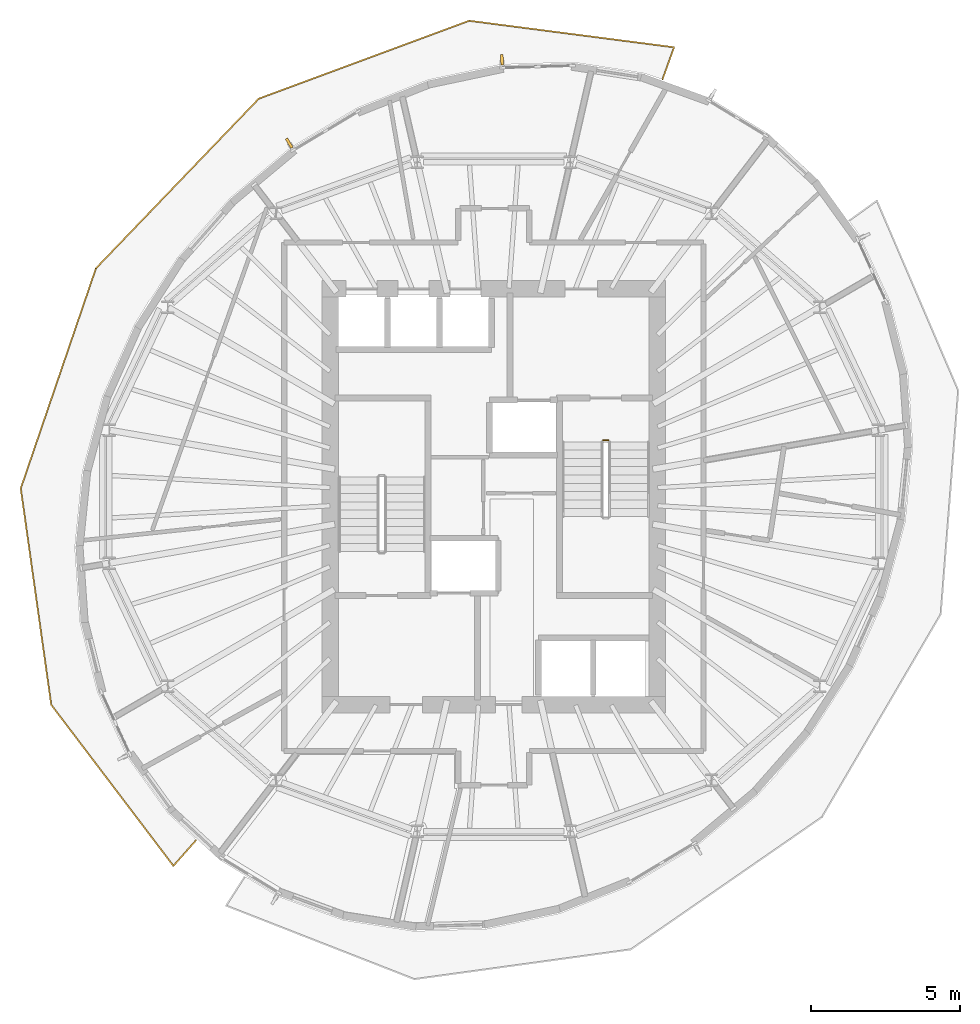
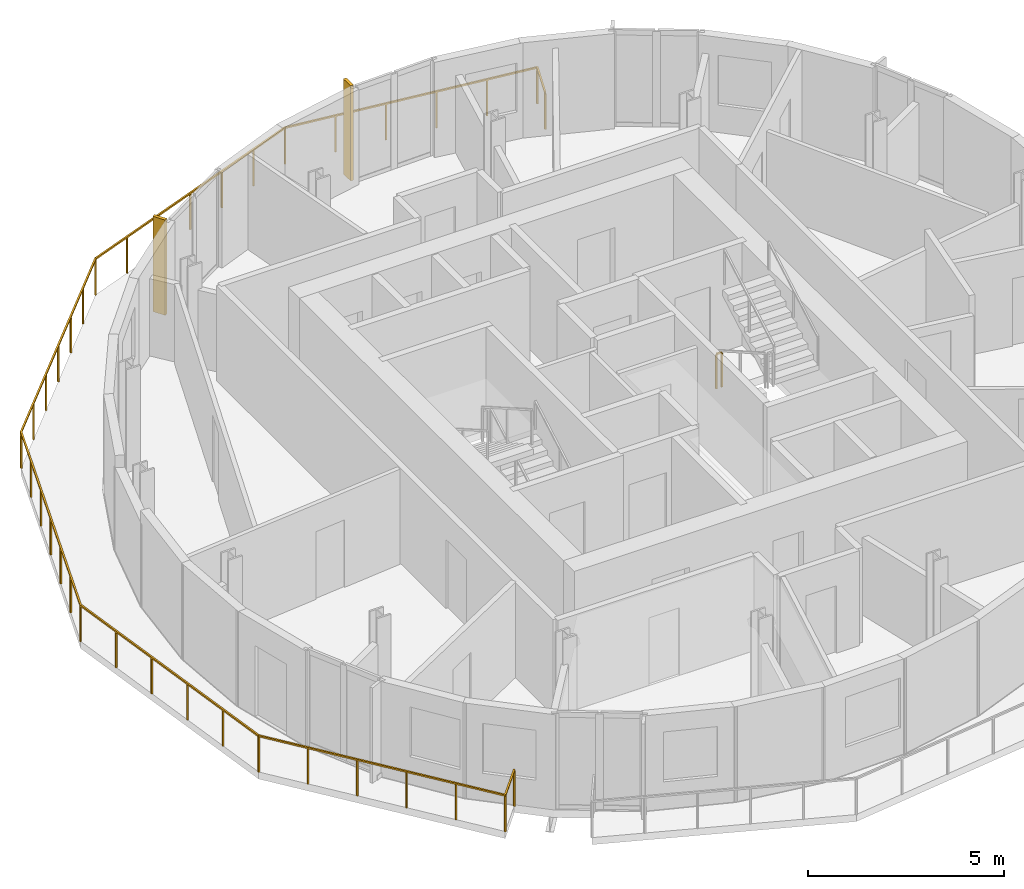
# One storey, part 10 of 11: 2 railings, 2 shading devices.
"""IFC4 building model written with IfcOpenShell, lengths in metres."""

from ifc_helpers import new_model, si_unit, direction, frame, origin, origin_2d, place, context, subcontext, project, spatial, rectangle, extrude, material, layer, layer_set, type_object, element, save


model = new_model("IFC4")

# Units and contexts
model_context = context("Model", 3, precision=1e-05, world=origin(), true_north=direction((0.0, 1.0)))
body_context = subcontext(model_context, "Body", "Model", "MODEL_VIEW")
ifc_project = project(units=[si_unit("LENGTHUNIT", "METRE"), si_unit("AREAUNIT", "SQUARE_METRE"), si_unit("VOLUMEUNIT", "CUBIC_METRE"), si_unit("PLANEANGLEUNIT", "RADIAN"), si_unit("MASSUNIT", "GRAM", prefix="KILO")], contexts=[model_context])

# Site, building, storey
site_placement = place(None, origin())
site = spatial("IfcSite", under=ifc_project, at=site_placement, CompositionType="ELEMENT")
building_placement = place(site_placement, origin())
building = spatial("IfcBuilding", under=site, at=building_placement, Name="Veldorim Arch Residences", CompositionType="ELEMENT")
storey_placement = place(building_placement, frame((0.0, 0.0, 211.0400390625)))
storey = spatial("IfcBuildingStorey", under=building, at=storey_placement, Name="L63", CompositionType="ELEMENT", Elevation=211.0400390625)

# Railings
ifc_material_1 = material(Name="Aluminium", Category="aluminium")
railing_type_1 = type_object("IfcRailingType", Name="Balcony & Terrace Laminated Glass Balustrade 1150", PredefinedType="BALUSTRADE", material=ifc_material_1)
railing_1_placement = place(storey_placement, frame((37.680419921875, 38.05078125, 0.0)))
element("IfcRailing", 1, at=railing_1_placement, inside=storey, type_object=railing_type_1, Name="L63 crescent balcony safety balustrade A", PredefinedType="BALUSTRADE", context=body_context, shape_type="SweptSolid", body=[
    extrude(rectangle(XDim=0.048095703125, YDim=0.048095703125, at=origin_2d()), frame((0.0, 0.0, 1.1259765625), z_axis=(0.340140076504, 0.940374780795, 0.0), x_axis=(-0.940374780795, 0.340140076504, 0.0)), (0.0, 0.0, 1.0), 1.14990234375),
    extrude(rectangle(XDim=0.048095703125, YDim=0.048095703125, at=origin_2d()), frame((0.39111328125, 1.081298828125, 1.1259765625), z_axis=(-0.991707311523, 0.128516957138, 0.0), x_axis=(-0.128516957138, -0.991707311523, 0.0)), (0.0, 0.0, 1.0), 6.95654296875),
    extrude(rectangle(XDim=0.048095703125, YDim=0.048095703125, at=origin_2d()), frame((-6.5078125, 1.975341796875, 1.1259765625), z_axis=(-0.937771367303, -0.347253311959, 0.0), x_axis=(0.347253311959, -0.937771367303, 0.0)), (0.0, 0.0, 1.0), 7.55517578125),
    extrude(rectangle(XDim=0.048095703125, YDim=0.048095703125, at=origin_2d()), frame((-13.5927734375, -0.648193359375, 1.1259765625), z_axis=(-0.692515784525, -0.721402722606, 0.0), x_axis=(0.721402722606, -0.692515784525, 0.0)), (0.0, 0.0, 1.0), 7.919189453125),
    extrude(rectangle(XDim=0.048095703125, YDim=0.048095703125, at=origin_2d()), frame((-19.076904296875, -6.361083984375, 1.1259765625), z_axis=(-0.323186753285, -0.946335206204, 0.0), x_axis=(0.946335206204, -0.323186753285, 0.0)), (0.0, 0.0, 1.0), 7.831298828125),
    extrude(rectangle(XDim=0.048095703125, YDim=0.048095703125, at=origin_2d()), frame((-21.60791015625, -13.772216796875, 1.1259765625), z_axis=(0.139441940502, -0.990230248593, 0.0), x_axis=(0.990230248593, 0.139441940502, 0.0)), (0.0, 0.0, 1.0), 7.35693359375),
    extrude(rectangle(XDim=0.048095703125, YDim=0.048095703125, at=origin_2d()), frame((-20.58203125, -21.057373046875, 1.1259765625), z_axis=(0.604328405485, -0.796735325138, 0.0), x_axis=(0.796735325138, 0.604328405485, 0.0)), (0.0, 0.0, 1.0), 6.808837890625),
    extrude(rectangle(XDim=0.048095703125, YDim=0.048095703125, at=origin_2d()), frame((-16.46728515625, -26.482177734375, 1.1259765625), z_axis=(0.662583043575, 0.7489884581, 0.0), x_axis=(-0.7489884581, 0.662583043575, 0.0)), (0.0, 0.0, 1.0), 1.14990234375),
    extrude(rectangle(XDim=0.0419921875, YDim=0.0419921875, at=origin_2d()), origin(), (0.0, 0.0, 1.0), 1.101806640625),
    extrude(rectangle(XDim=0.0419921875, YDim=0.0419921875, at=origin_2d()), frame((0.39111328125, 1.081298828125, 0.0)), (0.0, 0.0, 1.0), 1.101806640625),
    extrude(rectangle(XDim=0.0419921875, YDim=0.0419921875, at=origin_2d()), frame((-0.98876953125, 1.260009765625, 0.0)), (0.0, 0.0, 1.0), 1.101806640625),
    extrude(rectangle(XDim=0.0419921875, YDim=0.0419921875, at=origin_2d()), frame((-2.368408203125, 1.43896484375, 0.0)), (0.0, 0.0, 1.0), 1.101806640625),
    extrude(rectangle(XDim=0.0419921875, YDim=0.0419921875, at=origin_2d()), frame((-3.748291015625, 1.61767578125, 0.0)), (0.0, 0.0, 1.0), 1.101806640625),
    extrude(rectangle(XDim=0.0419921875, YDim=0.0419921875, at=origin_2d()), frame((-5.1279296875, 1.796630859375, 0.0)), (0.0, 0.0, 1.0), 1.101806640625),
    extrude(rectangle(XDim=0.0419921875, YDim=0.0419921875, at=origin_2d()), frame((-6.5078125, 1.975341796875, 0.0)), (0.0, 0.0, 1.0), 1.101806640625),
    extrude(rectangle(XDim=0.0419921875, YDim=0.0419921875, at=origin_2d()), frame((-7.688720703125, 1.5380859375, 0.0)), (0.0, 0.0, 1.0), 1.101806640625),
    extrude(rectangle(XDim=0.0419921875, YDim=0.0419921875, at=origin_2d()), frame((-8.869384765625, 1.100830078125, 0.0)), (0.0, 0.0, 1.0), 1.101806640625),
    extrude(rectangle(XDim=0.0419921875, YDim=0.0419921875, at=origin_2d()), frame((-10.05029296875, 0.66357421875, 0.0)), (0.0, 0.0, 1.0), 1.101806640625),
    extrude(rectangle(XDim=0.0419921875, YDim=0.0419921875, at=origin_2d()), frame((-11.231201171875, 0.226318359375, 0.0)), (0.0, 0.0, 1.0), 1.101806640625),
    extrude(rectangle(XDim=0.0419921875, YDim=0.0419921875, at=origin_2d()), frame((-12.411865234375, -0.2109375, 0.0)), (0.0, 0.0, 1.0), 1.101806640625),
    extrude(rectangle(XDim=0.0419921875, YDim=0.0419921875, at=origin_2d()), frame((-13.5927734375, -0.648193359375, 0.0)), (0.0, 0.0, 1.0), 1.101806640625),
    extrude(rectangle(XDim=0.0419921875, YDim=0.0419921875, at=origin_2d()), frame((-14.5068359375, -1.600341796875, 0.0)), (0.0, 0.0, 1.0), 1.101806640625),
    extrude(rectangle(XDim=0.0419921875, YDim=0.0419921875, at=origin_2d()), frame((-15.4208984375, -2.552490234375, 0.0)), (0.0, 0.0, 1.0), 1.101806640625),
    extrude(rectangle(XDim=0.0419921875, YDim=0.0419921875, at=origin_2d()), frame((-16.3349609375, -3.504638671875, 0.0)), (0.0, 0.0, 1.0), 1.101806640625),
    extrude(rectangle(XDim=0.0419921875, YDim=0.0419921875, at=origin_2d()), frame((-17.248779296875, -4.456787109375, 0.0)), (0.0, 0.0, 1.0), 1.101806640625),
    extrude(rectangle(XDim=0.0419921875, YDim=0.0419921875, at=origin_2d()), frame((-18.162841796875, -5.408935546875, 0.0)), (0.0, 0.0, 1.0), 1.101806640625),
    extrude(rectangle(XDim=0.0419921875, YDim=0.0419921875, at=origin_2d()), frame((-19.076904296875, -6.361083984375, 0.0)), (0.0, 0.0, 1.0), 1.101806640625),
    extrude(rectangle(XDim=0.0419921875, YDim=0.0419921875, at=origin_2d()), frame((-19.498779296875, -7.59619140625, 0.0)), (0.0, 0.0, 1.0), 1.101806640625),
    extrude(rectangle(XDim=0.0419921875, YDim=0.0419921875, at=origin_2d()), frame((-19.920654296875, -8.83154296875, 0.0)), (0.0, 0.0, 1.0), 1.101806640625),
    extrude(rectangle(XDim=0.0419921875, YDim=0.0419921875, at=origin_2d()), frame((-20.34228515625, -10.066650390625, 0.0)), (0.0, 0.0, 1.0), 1.101806640625),
    extrude(rectangle(XDim=0.0419921875, YDim=0.0419921875, at=origin_2d()), frame((-20.76416015625, -11.3017578125, 0.0)), (0.0, 0.0, 1.0), 1.101806640625),
    extrude(rectangle(XDim=0.0419921875, YDim=0.0419921875, at=origin_2d()), frame((-21.18603515625, -12.537109375, 0.0)), (0.0, 0.0, 1.0), 1.101806640625),
    extrude(rectangle(XDim=0.0419921875, YDim=0.0419921875, at=origin_2d()), frame((-21.60791015625, -13.772216796875, 0.0)), (0.0, 0.0, 1.0), 1.101806640625),
    extrude(rectangle(XDim=0.0419921875, YDim=0.0419921875, at=origin_2d()), frame((-21.40283203125, -15.229248046875, 0.0)), (0.0, 0.0, 1.0), 1.101806640625),
    extrude(rectangle(XDim=0.0419921875, YDim=0.0419921875, at=origin_2d()), frame((-21.197509765625, -16.686279296875, 0.0)), (0.0, 0.0, 1.0), 1.101806640625),
    extrude(rectangle(XDim=0.0419921875, YDim=0.0419921875, at=origin_2d()), frame((-20.992431640625, -18.143310546875, 0.0)), (0.0, 0.0, 1.0), 1.101806640625),
    extrude(rectangle(XDim=0.0419921875, YDim=0.0419921875, at=origin_2d()), frame((-20.787109375, -19.600341796875, 0.0)), (0.0, 0.0, 1.0), 1.101806640625),
    extrude(rectangle(XDim=0.0419921875, YDim=0.0419921875, at=origin_2d()), frame((-20.58203125, -21.057373046875, 0.0)), (0.0, 0.0, 1.0), 1.101806640625),
    extrude(rectangle(XDim=0.0419921875, YDim=0.0419921875, at=origin_2d()), frame((-19.759033203125, -22.142333984375, 0.0)), (0.0, 0.0, 1.0), 1.101806640625),
    extrude(rectangle(XDim=0.0419921875, YDim=0.0419921875, at=origin_2d()), frame((-18.93603515625, -23.227294921875, 0.0)), (0.0, 0.0, 1.0), 1.101806640625),
    extrude(rectangle(XDim=0.0419921875, YDim=0.0419921875, at=origin_2d()), frame((-18.11328125, -24.312255859375, 0.0)), (0.0, 0.0, 1.0), 1.101806640625),
    extrude(rectangle(XDim=0.0419921875, YDim=0.0419921875, at=origin_2d()), frame((-17.290283203125, -25.397216796875, 0.0)), (0.0, 0.0, 1.0), 1.101806640625),
    extrude(rectangle(XDim=0.0419921875, YDim=0.0419921875, at=origin_2d()), frame((-16.46728515625, -26.482177734375, 0.0)), (0.0, 0.0, 1.0), 1.101806640625),
    extrude(rectangle(XDim=0.0419921875, YDim=0.0419921875, at=origin_2d()), frame((-15.705322265625, -25.620849609375, 0.0)), (0.0, 0.0, 1.0), 1.101806640625),
])
ifc_material_2 = material(Name="Steel S355", Category="steel")
railing_type_2 = type_object("IfcRailingType", Name="Galvanised Steel Stair Safety Guardrail 1100", PredefinedType="GUARDRAIL", material=ifc_material_2)
railing_2_placement = place(storey_placement, frame((35.68994140625, 25.89990234375, 0.0)))
element("IfcRailing", 2, at=railing_2_placement, inside=storey, type_object=railing_type_2, Name="L63 ST-2 stair guard 4", PredefinedType="GUARDRAIL", context=body_context, shape_type="SweptSolid", body=[
    extrude(rectangle(XDim=0.048095703125, YDim=0.048095703125, at=origin_2d()), frame((0.0, 0.0, 1.076171875), z_axis=(1.0, 0.0, 0.0), x_axis=(0.0, 1.0, 0.0)), (0.0, 0.0, 1.0), 0.16015625),
    extrude(rectangle(XDim=0.0419921875, YDim=0.0419921875, at=origin_2d()), origin(), (0.0, 0.0, 1.0), 1.052001953125),
    extrude(rectangle(XDim=0.0419921875, YDim=0.0419921875, at=origin_2d()), frame((0.16015625, 0.0, 0.0)), (0.0, 0.0, 1.0), 1.052001953125),
])

# Shading devices
ifc_material_3 = material(Name="Terracotta Ceramic", Category="masonry")
ifc_layer = layer(ifc_material_3, 0.090087890625, Name="Vertical Extruded Terracotta Baguette Sun-Shading Fin")
ifc_layer_set = layer_set([ifc_layer], Name="Terracotta Ceramic")
shading_device_type = type_object("IfcShadingDeviceType", Name="Vertical Extruded Terracotta Baguette Sun-Shading Fin", PredefinedType="USERDEFINED", material=ifc_layer_set)
for number, where, z_axis, x_axis, name in (
    (3, (32.277099609375, 38.70849609375, 0.0), (0.0, 0.0, 1.0), (0.99952286999, 0.030887414385, 0.0), "L63 vertical terracotta sun-shading fin 04"),
    (4, (25.112060546875, 35.90283203125, 0.0), (0.0, 0.0, 1.0), (0.858512728225, 0.512792253721, 0.0), "L63 vertical terracotta sun-shading fin 07"),
):
    element("IfcShadingDevice", number, at=place(storey_placement, frame(where, z_axis=z_axis, x_axis=x_axis)), inside=storey, type_object=shading_device_type, Name=name, ObjectType="FIN", PredefinedType="USERDEFINED", context=body_context, shape_type="SweptSolid", body=[
        extrude(rectangle(XDim=0.090087890625, YDim=0.360107421875, at=origin_2d()), origin(), (0.0, 0.0, 1.0), 2.9599609375),
    ])

save(model, "model.ifc")
